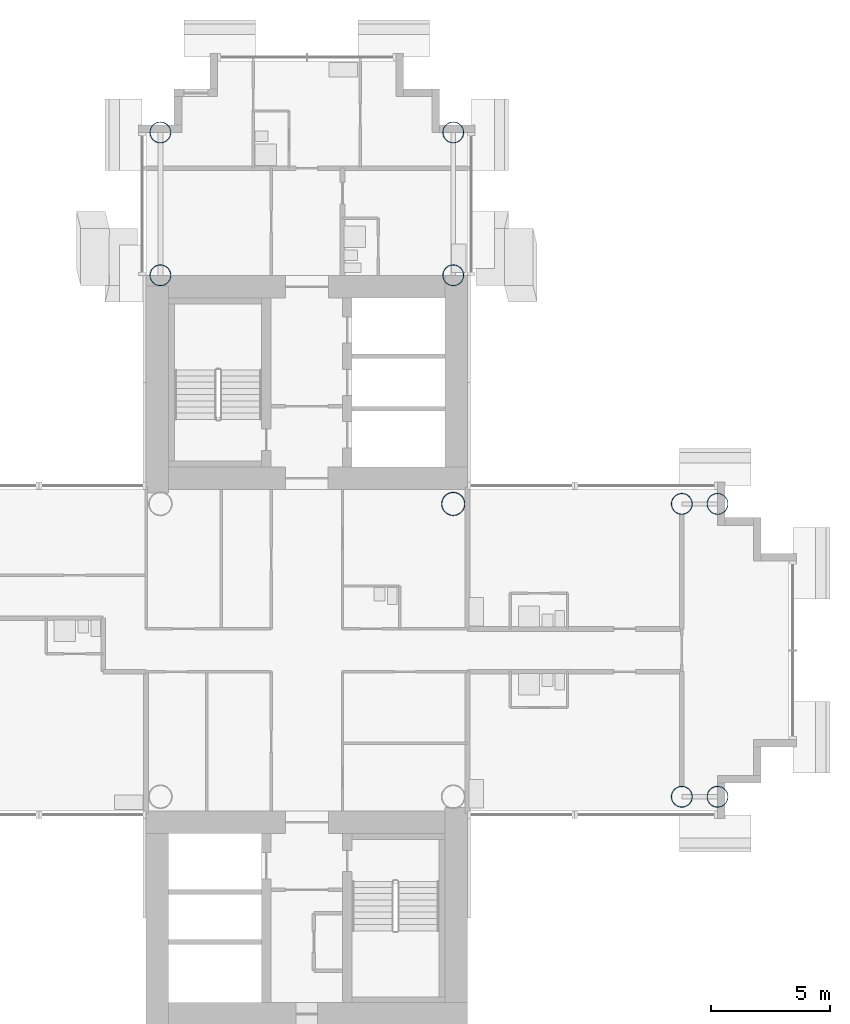
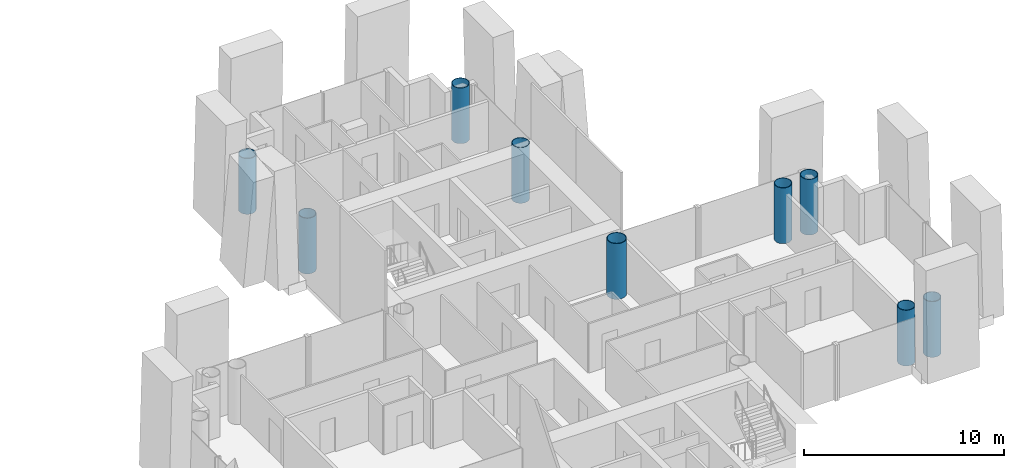
# One storey, part 2 of 21: 9 columns.
"""IFC4 building model written with IfcOpenShell, lengths in metres."""

import ifcopenshell
import ifcopenshell.guid

model = None  # the IFC model being written
_history = None  # IfcOwnerHistory: only IFC2X3 demands one
_inside = {}  # id of a spatial element -> (the spatial element, [elements in it])
_under = {}  # id of a project, library or spatial element -> (it, [spatial elements below it])
_declared = {}  # id of a project -> (the project, [libraries it declares])
_typed = {}  # id of a type object -> (the type object, [elements of that type])
_made_of = {}  # id of a material, layer set ... -> (it, [elements and type objects made of it])


def new_model(schema):
    """Start an empty IFC model of exactly this schema.

    Asked for "IFC4X3", IfcOpenShell would pick the latest addendum, in which some entities
    have other attributes; the version numbers below select the first issue.
    IFC2X3 requires an IfcOwnerHistory on every rooted entity: one is made here for all.
    """
    global model, _history
    if schema == "IFC4X3":
        model = ifcopenshell.file(schema_version=(4, 3, 0, 0))
    else:
        model = ifcopenshell.file(schema=schema)
    _inside.clear()
    _under.clear()
    _declared.clear()
    _typed.clear()
    _made_of.clear()
    _history = None
    if model.schema == "IFC2X3":
        org = make("IfcOrganization", Name="unknown")
        user = make(
            "IfcPersonAndOrganization",
            ThePerson=make("IfcPerson", FamilyName="unknown"),
            TheOrganization=org,
        )
        app = make(
            "IfcApplication",
            ApplicationDeveloper=org,
            Version="unknown",
            ApplicationFullName="unknown",
            ApplicationIdentifier="unknown",
        )
        _history = make(
            "IfcOwnerHistory",
            OwningUser=user,
            OwningApplication=app,
            ChangeAction="ADDED",
            CreationDate=0,
        )
    return model


def make(cls, **values):
    """One entity of the class cls with the attributes given. An attribute that is None is left unset."""
    return model.create_entity(
        cls, **{name: value for name, value in values.items() if value is not None}
    )


def rooted(cls, **values):
    """An entity with a GlobalId (a new one), such as an element, a storey or a relation."""
    return make(cls, GlobalId=ifcopenshell.guid.new(), OwnerHistory=_history, **values)


def si_unit(unit_type, name, prefix=None):
    """IfcSIUnit, for example si_unit("LENGTHUNIT", "METRE", prefix="MILLI")."""
    return make("IfcSIUnit", UnitType=unit_type, Prefix=prefix, Name=name)


def assignment(units):
    """IfcUnitAssignment: the units of a project."""
    return None if units is None else make("IfcUnitAssignment", Units=units)


def point(xyz):
    """IfcCartesianPoint."""
    return None if xyz is None else make("IfcCartesianPoint", Coordinates=xyz)


def direction(xyz):
    """IfcDirection."""
    return None if xyz is None else make("IfcDirection", DirectionRatios=xyz)


def frame(location, z_axis=None, x_axis=None):
    """IfcAxis2Placement3D, a coordinate frame: its origin and axes. An axis left out is left unset."""
    return make(
        "IfcAxis2Placement3D",
        Location=point(location),
        Axis=direction(z_axis),
        RefDirection=direction(x_axis),
    )


def frame_2d(location, x_axis=None):
    """IfcAxis2Placement2D, a coordinate frame in the plane: its origin and x axis."""
    return make(
        "IfcAxis2Placement2D", Location=point(location), RefDirection=direction(x_axis)
    )


def origin():
    """The frame at (0, 0, 0) with its axes left unset."""
    return frame((0.0, 0.0, 0.0))


def origin_2d():
    """The frame at (0, 0) in the plane with its x axis left unset."""
    return frame_2d((0.0, 0.0))


def place(relative_to, where):
    """IfcLocalPlacement: puts the frame where relative to a parent placement (None: the world)."""
    return make(
        "IfcLocalPlacement", PlacementRelTo=relative_to, RelativePlacement=where
    )


def context(
    kind, dimensions, precision=None, world=None, true_north=None, identifier=None
):
    """IfcGeometricRepresentationContext, for example the 3D "Model" context."""
    return make(
        "IfcGeometricRepresentationContext",
        ContextIdentifier=identifier,
        ContextType=kind,
        CoordinateSpaceDimension=dimensions,
        Precision=precision,
        WorldCoordinateSystem=world,
        TrueNorth=true_north,
    )


def subcontext(parent, identifier, kind, view, scale=None):
    """IfcGeometricRepresentationSubContext, for example "Body" below "Model"."""
    return make(
        "IfcGeometricRepresentationSubContext",
        ContextIdentifier=identifier,
        ContextType=kind,
        ParentContext=parent,
        TargetScale=scale,
        TargetView=view,
    )


def project(units=None, contexts=None):
    """IfcProject with its units and contexts."""
    return rooted(
        "IfcProject",
        Name="project",
        RepresentationContexts=contexts,
        UnitsInContext=assignment(units),
    )


def spatial(cls, under=None, at=None, **own):
    """A site, building, storey or space (cls), placed at a placement, below another one or the project."""
    s = rooted(cls, ObjectPlacement=at, **own)
    if under is not None:
        _under.setdefault(under.id(), (under, []))[1].append(s)
    return s


def profile(cls, at=None, kind="AREA", **sizes):
    """A parametric profile (cls). Its sizes go by their IFC names, for example OverallWidth=200.0."""
    return make(cls, ProfileType=kind, Position=at, **sizes)


def hollow_circle(**sizes):
    """IfcCircleHollowProfileDef."""
    return profile("IfcCircleHollowProfileDef", **sizes)


def extrude(swept, where, along, depth):
    """IfcExtrudedAreaSolid: the profile swept, set in the frame where, extruded along a direction by depth."""
    return make(
        "IfcExtrudedAreaSolid",
        SweptArea=swept,
        Position=where,
        ExtrudedDirection=direction(along),
        Depth=depth,
    )


def shape(context_of_items, identifier, shape_type, items):
    """IfcShapeRepresentation: the items that make up one representation, for example the "Body"."""
    return make(
        "IfcShapeRepresentation",
        ContextOfItems=context_of_items,
        RepresentationIdentifier=identifier,
        RepresentationType=shape_type,
        Items=items,
    )


def material(Name=None, Category=None):
    """IfcMaterial."""
    return make("IfcMaterial", Name=Name, Category=Category)


def material_profile(
    of_material, cross_section, Name=None, Category=None, Priority=None
):
    """IfcMaterialProfile: a cross section and its material."""
    return make(
        "IfcMaterialProfile",
        Name=Name,
        Material=of_material,
        Profile=cross_section,
        Priority=Priority,
        Category=Category,
    )


def profile_set(profiles, Name=None, composite=None):
    """IfcMaterialProfileSet."""
    return make(
        "IfcMaterialProfileSet",
        Name=Name,
        MaterialProfiles=profiles,
        CompositeProfile=composite,
    )


def made_of(thing, what):
    """Note that an element or type object is made of a material, layer set ...; save() writes the relation."""
    if what is not None:
        _made_of.setdefault(what.id(), (what, []))[1].append(thing)
    return thing


def type_object(cls, material=None, **own):
    """A type object (cls), such as IfcWallType, which elements share."""
    return made_of(rooted(cls, **own), material)


def element(
    cls,
    number,
    at=None,
    inside=None,
    cuts=None,
    type_object=None,
    material=None,
    context=None,
    identifier="Body",
    shape_type=None,
    held_by="IfcProductDefinitionShape",
    body=None,
    shapes=None,
    **own,
):
    """One element of the class cls, such as IfcWall. Its Tag is "e" and its number.

    at: its placement. inside: the storey or other place that contains it. cuts: it is an
    opening in that element (IfcRelVoidsElement). A single representation is given by context,
    identifier, shape_type and body (its items); several are given by shapes. held_by: the class
    of the entity that holds the representations. save() writes the other relations.
    """
    e = rooted(cls, Tag="e%d" % number, ObjectPlacement=at, **own)
    if body is not None:
        shapes = [shape(context, identifier, shape_type, body)]
    if shapes is not None:
        e.Representation = make(held_by, Representations=shapes)
    if inside is not None:
        _inside.setdefault(inside.id(), (inside, []))[1].append(e)
    if cuts is not None:
        rooted(
            "IfcRelVoidsElement", RelatingBuildingElement=cuts, RelatedOpeningElement=e
        )
    if type_object is not None:
        _typed.setdefault(type_object.id(), (type_object, []))[1].append(e)
    return made_of(e, material)


def aggregate(whole, parts):
    """IfcRelAggregates: a whole, such as a stair, and the parts it consists of."""
    return rooted("IfcRelAggregates", RelatingObject=whole, RelatedObjects=parts)


def save(model, path):
    """Write the relations noted so far, then the file.

    IfcRelAggregates (storeys below a building ...), IfcRelContainedInSpatialStructure (elements
    in a storey), IfcRelDefinesByType, IfcRelAssociatesMaterial and IfcRelDeclares: one each for
    every whole, place, type object, material and project.
    """
    for whole, parts in _under.values():
        aggregate(whole, parts)
    for where, things in _inside.values():
        rooted(
            "IfcRelContainedInSpatialStructure",
            RelatedElements=things,
            RelatingStructure=where,
        )
    for kind, things in _typed.values():
        rooted("IfcRelDefinesByType", RelatedObjects=things, RelatingType=kind)
    for what, things in _made_of.values():
        rooted("IfcRelAssociatesMaterial", RelatedObjects=things, RelatingMaterial=what)
    for by, libraries in _declared.values():
        rooted("IfcRelDeclares", RelatingContext=by, RelatedDefinitions=libraries)
    model.write(path)


model = new_model("IFC4")

# Units and contexts
model_context = context("Model", 3, precision=1e-05, world=origin(), true_north=direction((0.0, 1.0)))
body_context = subcontext(model_context, "Body", "Model", "MODEL_VIEW")
ifc_project = project(units=[si_unit("LENGTHUNIT", "METRE"), si_unit("AREAUNIT", "SQUARE_METRE"), si_unit("VOLUMEUNIT", "CUBIC_METRE"), si_unit("PLANEANGLEUNIT", "RADIAN"), si_unit("MASSUNIT", "GRAM", prefix="KILO")], contexts=[model_context])

# Site, building, storey
site_placement = place(None, origin())
site = spatial("IfcSite", under=ifc_project, at=site_placement, CompositionType="ELEMENT")
building_placement = place(site_placement, origin())
building = spatial("IfcBuilding", under=site, at=building_placement, Name="Ipe Terrace Towers", CompositionType="ELEMENT")
storey_placement = place(building_placement, frame((0.0, 0.0, 93.60009765625)))
storey = spatial("IfcBuildingStorey", under=building, at=storey_placement, Name="L25", CompositionType="ELEMENT", Elevation=93.60009765625)

# Columns
ifc_material_1 = material(Name="Steel S355 tube with Concrete C60/75 fill", Category="concrete")
ifc_material_profile_1 = material_profile(ifc_material_1, hollow_circle(Radius=0.5, WallThickness=0.035888671875, at=origin_2d()), Name="CHS-1000x36")
ifc_profile_set_1 = profile_set([ifc_material_profile_1], Name="Steel S355 tube with Concrete C60/75 fill")
column_type_1 = type_object("IfcColumnType", Name="CH01 COLUMN CHS-1000x36", PredefinedType="COLUMN", material=ifc_profile_set_1)
column_placement = place(storey_placement, frame((42.14990234375, 6.14990234375, 0.0), z_axis=(0.0, 0.0, 1.0), x_axis=(1.0, 0.0, 0.0)))
element("IfcColumn", 1, at=column_placement, inside=storey, type_object=column_type_1, Name="Column T2-C-E02", PredefinedType="COLUMN", context=body_context, shape_type="SweptSolid", body=[
    extrude(hollow_circle(Radius=0.5, WallThickness=0.035888671875, at=origin_2d()), origin(), (0.0, 0.0, 1.0), 3.39990234375),
])
ifc_material_2 = material(Name="Steel S355 tube with Concrete C60/75 fill", Category="concrete")
ifc_material_profile_2 = material_profile(ifc_material_2, hollow_circle(Radius=0.449951171875, WallThickness=0.031982421875, at=origin_2d()), Name="CHS-900x32")
ifc_profile_set_2 = profile_set([ifc_material_profile_2], Name="Steel S355 tube with Concrete C60/75 fill")
column_type_2 = type_object("IfcColumnType", Name="CH10 COLUMN CHS-900x32", PredefinedType="COLUMN", material=ifc_profile_set_2)
for number, where, z_axis, x_axis, name in (
    (2, (42.14990234375, 15.75, 0.0), (0.0, 0.0, 1.0), (1.0, 0.0, 0.0), "Column T2-C-A01"),
    (3, (29.85009765625, 15.75, 0.0), (0.0, 0.0, 1.0), (1.0, 0.0, 0.0), "Column T2-C-A02"),
    (4, (42.14990234375, 21.75, 0.0), (0.0, 0.0, 1.0), (1.0, 0.0, 0.0), "Column T2-C-A03"),
    (5, (29.85009765625, 21.75, 0.0), (0.0, 0.0, 1.0), (1.0, 0.0, 0.0), "Column T2-C-A04"),
    (6, (51.75, -6.14990234375, 0.0), (0.0, 0.0, 1.0), (1.0, 0.0, 0.0), "Column T2-C-D03"),
    (7, (51.75, 6.14990234375, 0.0), (0.0, 0.0, 1.0), (1.0, 0.0, 0.0), "Column T2-C-D04"),
    (8, (53.25, -6.14990234375, 0.0), (0.0, 0.0, 1.0), (1.0, 0.0, 0.0), "Column T2-C-D05"),
    (9, (53.25, 6.14990234375, 0.0), (0.0, 0.0, 1.0), (1.0, 0.0, 0.0), "Column T2-C-D06"),
):
    element("IfcColumn", number, at=place(storey_placement, frame(where, z_axis=z_axis, x_axis=x_axis)), inside=storey, type_object=column_type_2, Name=name, PredefinedType="COLUMN", context=body_context, shape_type="SweptSolid", body=[
        extrude(hollow_circle(Radius=0.449951171875, WallThickness=0.031982421875, at=origin_2d()), origin(), (0.0, 0.0, 1.0), 3.39990234375),
    ])

save(model, "model.ifc")
